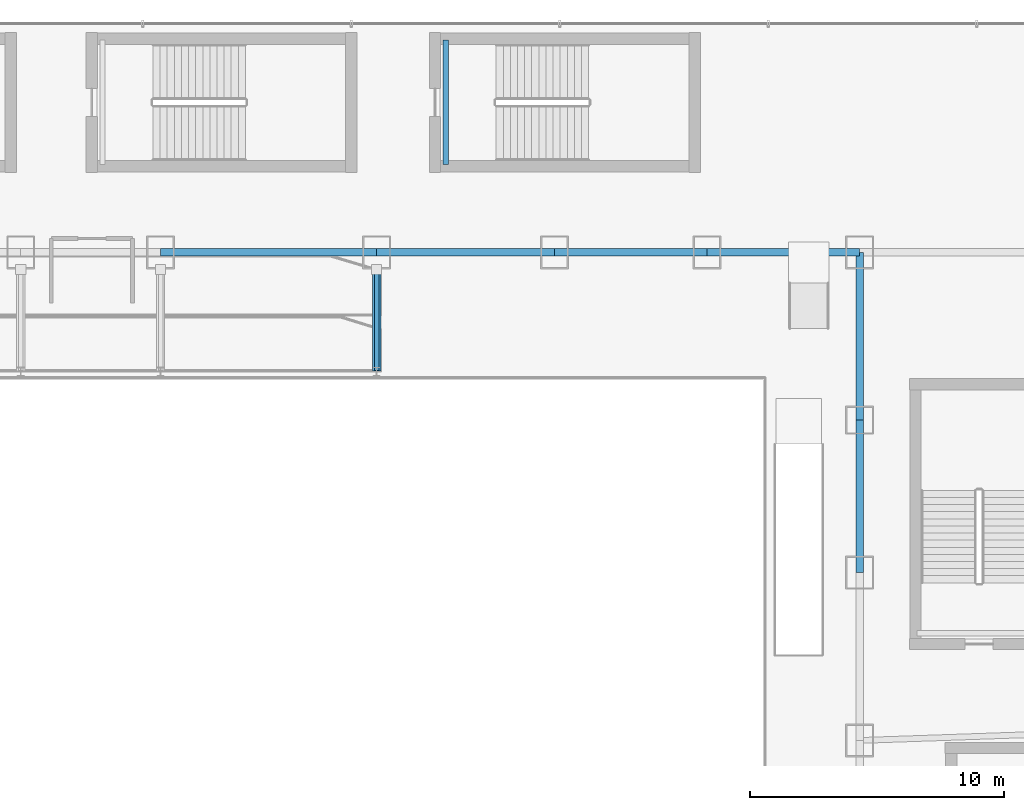
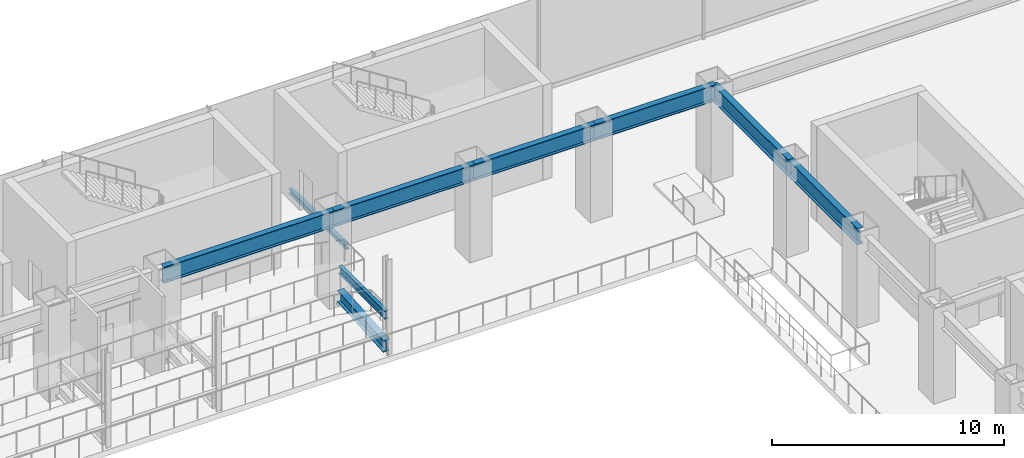
# One storey, part 16 of 39: 9 beams.
"""IFC4 building model written with IfcOpenShell, lengths in metres."""

from ifc_helpers import new_model, si_unit, derived_unit, direction, frame, origin, origin_2d, place, context, subcontext, project, spatial, i_section, extrude, source, transform, mapped, material, material_profile, profile_set, type_object, element, save


model = new_model("IFC4")

# Units and contexts
model_context = context("Model", 3, precision=1e-05, world=origin(), true_north=direction((0.0, 1.0)))
body_context = subcontext(model_context, "Body", "Model", "MODEL_VIEW")
ifc_project = project(units=[si_unit("LENGTHUNIT", "METRE"), si_unit("AREAUNIT", "SQUARE_METRE"), si_unit("VOLUMEUNIT", "CUBIC_METRE"), si_unit("PLANEANGLEUNIT", "RADIAN"), si_unit("MASSUNIT", "GRAM", prefix="KILO"), derived_unit("THERMALTRANSMITTANCEUNIT", [(si_unit("POWERUNIT", "WATT"), 1), (si_unit("LENGTHUNIT", "METRE"), -2), (si_unit("THERMODYNAMICTEMPERATUREUNIT", "KELVIN"), -1)])], contexts=[model_context])

# Site, building, storey
site_placement = place(None, origin())
site = spatial("IfcSite", under=ifc_project, at=site_placement, CompositionType="ELEMENT")
building_placement = place(site_placement, origin())
building = spatial("IfcBuilding", under=site, at=building_placement, Name="Skarnbrae Concourse Arena and Tower", CompositionType="ELEMENT")
storey_placement = place(building_placement, frame((0.0, 0.0, 11.0)))
storey = spatial("IfcBuildingStorey", under=building, at=storey_placement, Name="L02", CompositionType="ELEMENT", Elevation=11.0)

# Beams
ifc_material = material(Name="Steel CSA G40.21 350W", Category="steel")
ifc_material_profile_1 = material_profile(ifc_material, i_section(OverallWidth=0.2939453125, OverallDepth=0.85107421875, WebThickness=0.01611328125, FlangeThickness=0.02685546875, at=origin_2d()), Name="W840X226")
ifc_profile_set_1 = profile_set([ifc_material_profile_1], Name="Steel CSA G40.21 350W")
beam_type_1 = type_object("IfcBeamType", Name="BM-GIRD-W840X226", PredefinedType="BEAM", material=ifc_profile_set_1)
shared_shape_1 = source(origin(), body_context, "Body", "SweptSolid", [
    extrude(i_section(OverallWidth=0.2939453125, OverallDepth=0.85107421875, WebThickness=0.01611328125, FlangeThickness=0.02685546875, at=origin_2d()), origin(), (0.0, 0.0, 1.0), 6.60009765625),
])
beam_1_placement = place(storey_placement, frame((61.0, 40.39990234375, 4.2744140625), z_axis=(0.0, 1.0, 0.0), x_axis=(-1.0, 0.0, 0.0)))
element("IfcBeam", 1, at=beam_1_placement, inside=storey, type_object=beam_type_1, Name="L02 Podium east girder 6", PredefinedType="BEAM", context=body_context, shape_type="MappedRepresentation", body=[
    mapped(shared_shape_1, transform((0.0, 0.0, 0.0))),
])
shared_shape_2 = source(origin(), body_context, "Body", "SweptSolid", [
    extrude(i_section(OverallWidth=0.2939453125, OverallDepth=0.85107421875, WebThickness=0.01611328125, FlangeThickness=0.02685546875, at=origin_2d()), origin(), (0.0, 0.0, 1.0), 8.5),
])
beam_2_placement = place(storey_placement, frame((33.5, 47.0, 4.2744140625), z_axis=(1.0, 0.0, 0.0), x_axis=(0.0, 1.0, 0.0)))
element("IfcBeam", 2, at=beam_2_placement, inside=storey, type_object=beam_type_1, Name="L02 Podium north girder 6", PredefinedType="BEAM", context=body_context, shape_type="MappedRepresentation", body=[
    mapped(shared_shape_2, transform((0.0, 0.0, 0.0))),
])
shared_shape_3 = source(origin(), body_context, "Body", "SweptSolid", [
    extrude(i_section(OverallWidth=0.2939453125, OverallDepth=0.85107421875, WebThickness=0.01611328125, FlangeThickness=0.02685546875, at=origin_2d()), origin(), (0.0, 0.0, 1.0), 7.0),
])
beam_3_placement = place(storey_placement, frame((42.0, 47.0, 4.2744140625), z_axis=(1.0, 0.0, 0.0), x_axis=(0.0, 1.0, 0.0)))
element("IfcBeam", 3, at=beam_3_placement, inside=storey, type_object=beam_type_1, Name="L02 Podium north girder 7", PredefinedType="BEAM", context=body_context, shape_type="MappedRepresentation", body=[
    mapped(shared_shape_3, transform((0.0, 0.0, 0.0))),
])
shared_shape_4 = source(origin(), body_context, "Body", "SweptSolid", [
    extrude(i_section(OverallWidth=0.2939453125, OverallDepth=0.85107421875, WebThickness=0.01611328125, FlangeThickness=0.02685546875, at=origin_2d()), origin(), (0.0, 0.0, 1.0), 6.0),
])
for number, where, z_axis, x_axis, name in (
    (4, (49.0, 47.0, 4.2744140625), (1.0, 0.0, 0.0), (0.0, 1.0, 0.0), "L02 Podium north girder 8"),
    (5, (55.0, 47.0, 4.2744140625), (1.0, 0.0, 0.0), (0.0, 1.0, 0.0), "L02 Podium north girder 9"),
    (6, (61.0, 34.39990234375, 4.2744140625), (0.0, 1.0, 0.0), (-1.0, 0.0, 0.0), "L02 Podium east girder 5"),
):
    element("IfcBeam", number, at=place(storey_placement, frame(where, z_axis=z_axis, x_axis=x_axis)), inside=storey, type_object=beam_type_1, Name=name, PredefinedType="BEAM", context=body_context, shape_type="MappedRepresentation", body=[
        mapped(shared_shape_4, transform((0.0, 0.0, 0.0))),
    ])
ifc_material_profile_2 = material_profile(ifc_material, i_section(OverallWidth=0.180908203125, OverallDepth=0.4169921875, WebThickness=0.010986328125, FlangeThickness=0.018310546875, at=origin_2d()), Name="W410X85")
ifc_profile_set_2 = profile_set([ifc_material_profile_2], Name="Steel CSA G40.21 350W")
beam_type_2 = type_object("IfcBeamType", Name="BM-JOIST-W410X85", PredefinedType="JOIST", material=ifc_profile_set_2)
shared_shape_5 = source(origin(), body_context, "Body", "SweptSolid", [
    extrude(i_section(OverallWidth=0.180908203125, OverallDepth=0.4169921875, WebThickness=0.010986328125, FlangeThickness=0.018310546875, at=origin_2d()), origin(), (0.0, 0.0, 1.0), 4.0),
])
beam_4_placement = place(storey_placement, frame((42.0, 42.360107421875, 1.94140625), z_axis=(0.0, 1.0, 0.0), x_axis=(-1.0, 0.0, 0.0)))
element("IfcBeam", 7, at=beam_4_placement, inside=storey, type_object=beam_type_2, Name="L02 Arena upper seating tier cradle beam N05", PredefinedType="JOIST", context=body_context, shape_type="MappedRepresentation", body=[
    mapped(shared_shape_5, transform((0.0, 0.0, 0.0))),
])
ifc_material_profile_3 = material_profile(ifc_material, i_section(OverallWidth=0.323974609375, OverallDepth=0.611083984375, WebThickness=0.0126953125, FlangeThickness=0.01904296875, at=origin_2d()), Name="W610X155")
ifc_profile_set_3 = profile_set([ifc_material_profile_3], Name="Steel CSA G40.21 350W")
beam_type_3 = type_object("IfcBeamType", Name="BM-RAKER-W610X155", PredefinedType="USERDEFINED", material=ifc_profile_set_3)
shared_shape_6 = source(origin(), body_context, "Body", "SweptSolid", [
    extrude(i_section(OverallWidth=0.323974609375, OverallDepth=0.611083984375, WebThickness=0.0126953125, FlangeThickness=0.01904296875, at=origin_2d()), origin(), (0.0, 0.0, 1.0), 4.008544921875),
])
beam_5_placement = place(storey_placement, frame((42.0, 42.360107421875, 0.320068359375), z_axis=(0.0, 0.997894012809, 0.064865547097), x_axis=(-1.0, 0.0, 0.0)))
element("IfcBeam", 8, at=beam_5_placement, inside=storey, type_object=beam_type_3, Name="L02 Arena bowl sloped raker beam RB-N05", ObjectType="RAKER", PredefinedType="USERDEFINED", context=body_context, shape_type="MappedRepresentation", body=[
    mapped(shared_shape_6, transform((0.0, 0.0, 0.0))),
])
ifc_material_profile_4 = material_profile(ifc_material, i_section(OverallWidth=0.202880859375, OverallDepth=0.251953125, WebThickness=0.008056640625, FlangeThickness=0.013427734375, at=origin_2d()), Name="W250X58")
ifc_profile_set_4 = profile_set([ifc_material_profile_4], Name="Steel CSA G40.21 350W")
beam_type_4 = type_object("IfcBeamType", Name="BM-LINTEL-W250X58", PredefinedType="LINTEL", material=ifc_profile_set_4)
shared_shape_7 = source(origin(), body_context, "Body", "SweptSolid", [
    extrude(i_section(OverallWidth=0.202880859375, OverallDepth=0.251953125, WebThickness=0.008056640625, FlangeThickness=0.013427734375, at=origin_2d()), origin(), (0.0, 0.0, 1.0), 4.900146484375),
])
beam_6_placement = place(storey_placement, frame((44.719970703125, 50.449951171875, -0.325927734375), z_axis=(0.0, 1.0, 0.0), x_axis=(-1.0, 0.0, 0.0)))
element("IfcBeam", 9, at=beam_6_placement, inside=storey, type_object=beam_type_4, Name="L02 Stair ST-A8 near landing soffit beam", PredefinedType="LINTEL", context=body_context, shape_type="MappedRepresentation", body=[
    mapped(shared_shape_7, transform((0.0, 0.0, 0.0))),
])

save(model, "model.ifc")
